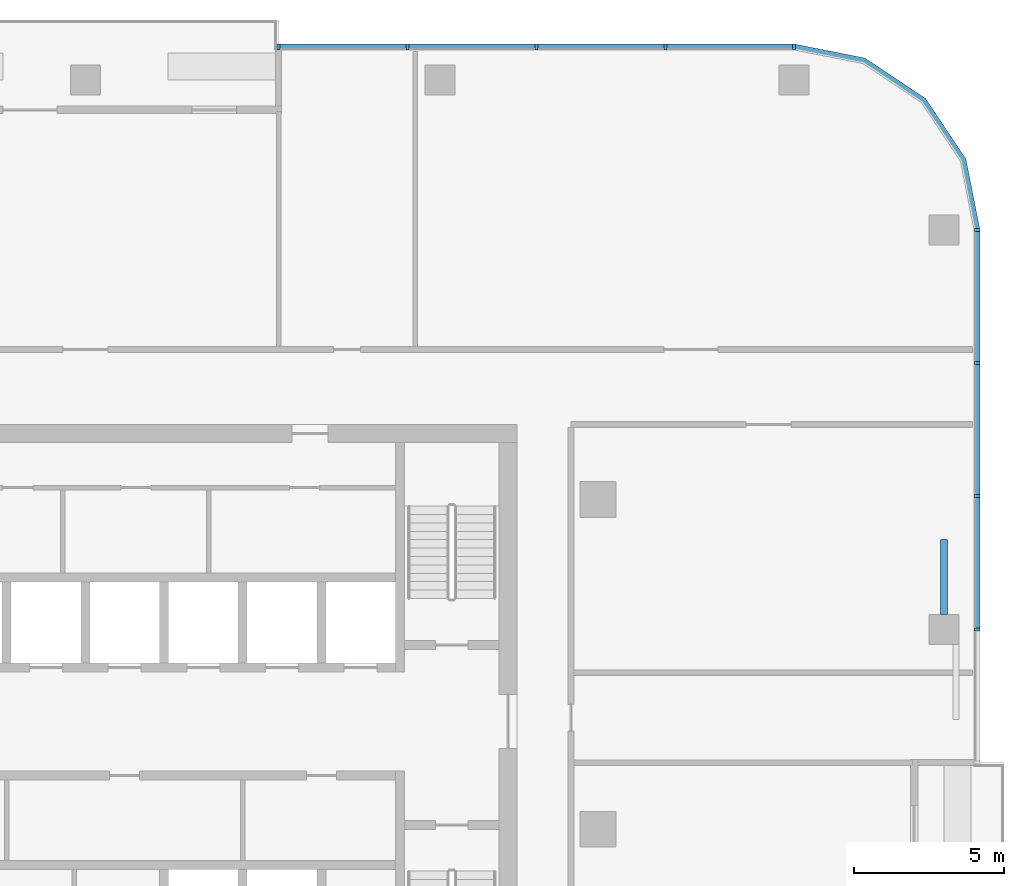
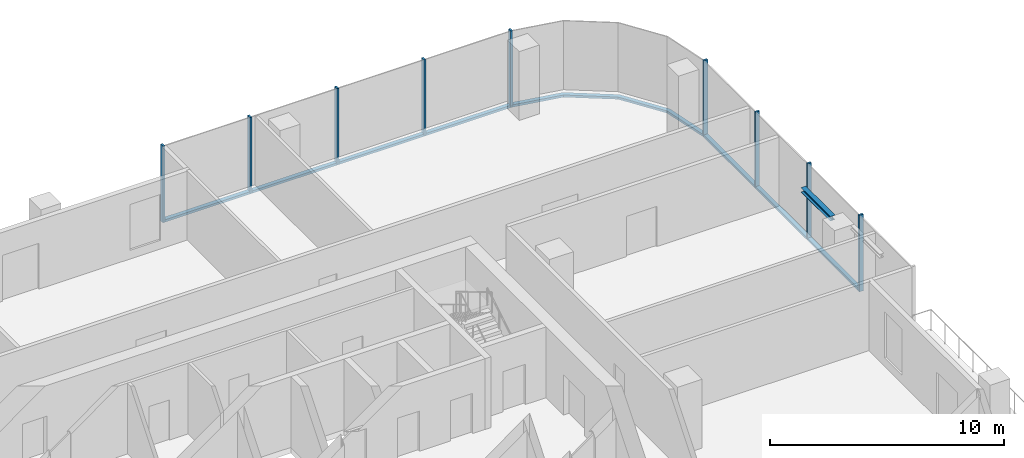
# One storey, part 5 of 13: 17 members, 1 beam, 3 elements without a shape of their own.
"""IFC4 building model written with IfcOpenShell, lengths in metres."""

from ifc_helpers import new_model, si_unit, direction, frame, origin, origin_2d, place, context, subcontext, project, spatial, polyline, rectangle, i_section, outline, extrude, material, material_profile, profile_set, type_object, element, aggregate, save


model = new_model("IFC4")

# Units and contexts
model_context = context("Model", 3, precision=1e-05, world=origin(), true_north=direction((0.0, 1.0)))
body_context = subcontext(model_context, "Body", "Model", "MODEL_VIEW")
ifc_project = project(units=[si_unit("LENGTHUNIT", "METRE"), si_unit("AREAUNIT", "SQUARE_METRE"), si_unit("VOLUMEUNIT", "CUBIC_METRE"), si_unit("PLANEANGLEUNIT", "RADIAN"), si_unit("MASSUNIT", "GRAM", prefix="KILO")], contexts=[model_context])

# Site, building, storey
site_placement = place(None, origin())
site = spatial("IfcSite", under=ifc_project, at=site_placement, CompositionType="ELEMENT")
building_placement = place(site_placement, origin())
building = spatial("IfcBuilding", under=site, at=building_placement, Name="Mopane Tessera Tower", CompositionType="ELEMENT")
storey_placement = place(building_placement, frame((0.0, 0.0, 287.39990234375)))
storey = spatial("IfcBuildingStorey", under=building, at=storey_placement, Name="L62", CompositionType="ELEMENT", Elevation=287.39990234375)

# Curtain wall, members
ifc_material_1 = material(Name="Aluminium frame", Category="aluminium")
curtain_wall_type = type_object("IfcCurtainWallType", Name="Unitised curtain wall", PredefinedType="NOTDEFINED", material=ifc_material_1)
curtain_wall_1_placement = place(storey_placement, origin())
curtain_wall_1 = element("IfcCurtainWall", 1, at=curtain_wall_1_placement, inside=storey, type_object=curtain_wall_type, Name="e:cw:L62:E:5", PredefinedType="NOTDEFINED")
ifc_material_2 = material(Name="Aluminium frame", Category="aluminium")
ifc_material_profile_1 = material_profile(ifc_material_2, rectangle(XDim=0.10009765625, YDim=0.199951171875, at=origin_2d()))
ifc_profile_set_1 = profile_set([ifc_material_profile_1], Name="Aluminium frame")
member_type_1 = type_object("IfcMemberType", Name="Aluminium mullion 100 x 200", PredefinedType="MULLION", material=ifc_profile_set_1)
member_1_placement = place(storey_placement, frame((29.75, 6.666748046875, -0.39990234375), z_axis=(0.0, 0.0, 1.0), x_axis=(0.0, 1.0, 0.0)))
member_1 = element("IfcMember", 2, at=member_1_placement, type_object=member_type_1, Name="e:cw:L62:E:5:mu6", PredefinedType="MULLION", context=body_context, shape_type="SweptSolid", body=[
    extrude(rectangle(XDim=0.10009765625, YDim=0.199951171875, at=origin_2d()), origin(), (0.0, 0.0, 1.0), 4.0),
])
member_2_placement = place(storey_placement, frame((29.75, 11.111083984375, -0.39990234375), z_axis=(0.0, 0.0, 1.0), x_axis=(0.0, 1.0, 0.0)))
member_2 = element("IfcMember", 3, at=member_2_placement, type_object=member_type_1, Name="e:cw:L62:E:5:mu7", PredefinedType="MULLION", context=body_context, shape_type="SweptSolid", body=[
    extrude(rectangle(XDim=0.10009765625, YDim=0.199951171875, at=origin_2d()), origin(), (0.0, 0.0, 1.0), 4.0),
])
member_3_placement = place(storey_placement, frame((29.75, 15.5556640625, -0.39990234375), z_axis=(0.0, 0.0, 1.0), x_axis=(0.0, 1.0, 0.0)))
member_3 = element("IfcMember", 4, at=member_3_placement, type_object=member_type_1, Name="e:cw:L62:E:5:mu8", PredefinedType="MULLION", context=body_context, shape_type="SweptSolid", body=[
    extrude(rectangle(XDim=0.10009765625, YDim=0.199951171875, at=origin_2d()), origin(), (0.0, 0.0, 1.0), 4.0),
])
member_4_placement = place(storey_placement, frame((29.75, 20.0, -0.39990234375), z_axis=(0.0, 0.0, 1.0), x_axis=(0.0, 1.0, 0.0)))
member_4 = element("IfcMember", 5, at=member_4_placement, type_object=member_type_1, Name="e:cw:L62:E:5:mu9", PredefinedType="MULLION", context=body_context, shape_type="SweptSolid", body=[
    extrude(rectangle(XDim=0.10009765625, YDim=0.199951171875, at=origin_2d()), origin(), (0.0, 0.0, 1.0), 4.0),
])

curtain_wall_2_placement = place(storey_placement, origin())
curtain_wall_2 = element("IfcCurtainWall", 6, at=curtain_wall_2_placement, inside=storey, type_object=curtain_wall_type, Name="e:cw:L62:N:0", PredefinedType="NOTDEFINED")
member_5_placement = place(storey_placement, frame((23.64990234375, 26.10009765625, -0.39990234375), z_axis=(0.0, 0.0, 1.0), x_axis=(-1.0, 0.0, 0.0)))
member_5 = element("IfcMember", 7, at=member_5_placement, type_object=member_type_1, Name="e:cw:L62:N:0:mu0", PredefinedType="MULLION", context=body_context, shape_type="SweptSolid", body=[
    extrude(rectangle(XDim=0.10009765625, YDim=0.199951171875, at=origin_2d()), origin(), (0.0, 0.0, 1.0), 4.0),
])
member_6_placement = place(storey_placement, frame((19.35009765625, 26.10009765625, -0.39990234375), z_axis=(0.0, 0.0, 1.0), x_axis=(-1.0, 0.0, 0.0)))
member_6 = element("IfcMember", 8, at=member_6_placement, type_object=member_type_1, Name="e:cw:L62:N:0:mu1", PredefinedType="MULLION", context=body_context, shape_type="SweptSolid", body=[
    extrude(rectangle(XDim=0.10009765625, YDim=0.199951171875, at=origin_2d()), origin(), (0.0, 0.0, 1.0), 4.0),
])
member_7_placement = place(storey_placement, frame((15.050048828125, 26.10009765625, -0.39990234375), z_axis=(0.0, 0.0, 1.0), x_axis=(-1.0, 0.0, 0.0)))
member_7 = element("IfcMember", 9, at=member_7_placement, type_object=member_type_1, Name="e:cw:L62:N:0:mu2", PredefinedType="MULLION", context=body_context, shape_type="SweptSolid", body=[
    extrude(rectangle(XDim=0.10009765625, YDim=0.199951171875, at=origin_2d()), origin(), (0.0, 0.0, 1.0), 4.0),
])
member_8_placement = place(storey_placement, frame((10.75, 26.10009765625, -0.39990234375), z_axis=(0.0, 0.0, 1.0), x_axis=(-1.0, 0.0, 0.0)))
member_8 = element("IfcMember", 10, at=member_8_placement, type_object=member_type_1, Name="e:cw:L62:N:0:mu3", PredefinedType="MULLION", context=body_context, shape_type="SweptSolid", body=[
    extrude(rectangle(XDim=0.10009765625, YDim=0.199951171875, at=origin_2d()), origin(), (0.0, 0.0, 1.0), 4.0),
])
member_9_placement = place(storey_placement, frame((6.449951171875, 26.10009765625, -0.39990234375), z_axis=(0.0, 0.0, 1.0), x_axis=(-1.0, 0.0, 0.0)))
member_9 = element("IfcMember", 11, at=member_9_placement, type_object=member_type_1, Name="e:cw:L62:N:0:mu4", PredefinedType="MULLION", context=body_context, shape_type="SweptSolid", body=[
    extrude(rectangle(XDim=0.10009765625, YDim=0.199951171875, at=origin_2d()), origin(), (0.0, 0.0, 1.0), 4.0),
])

# Member
ifc_material_3 = material(Name="Aluminium frame", Category="aluminium")
ifc_material_profile_2 = material_profile(ifc_material_3, rectangle(XDim=0.199951171875, YDim=0.1201171875, at=origin_2d()))
ifc_profile_set_2 = profile_set([ifc_material_profile_2], Name="Aluminium frame")
member_type_2 = type_object("IfcMemberType", Name="Aluminium transom 200 x 120", PredefinedType="USERDEFINED", material=ifc_profile_set_2)
member_10_placement = place(storey_placement, frame((29.75, 6.716552734375, -0.33984375), z_axis=(0.0, 1.0, 0.0), x_axis=(-1.0, 0.0, 0.0)))
member_10 = element("IfcMember", 12, at=member_10_placement, type_object=member_type_2, Name="e:cw:L62:E:5:tr6", ObjectType="TRANSOM", PredefinedType="USERDEFINED", context=body_context, shape_type="SweptSolid", body=[
    extrude(rectangle(XDim=0.199951171875, YDim=0.1201171875, at=origin_2d()), origin(), (0.0, 0.0, 1.0), 4.344482421875),
])

member_11_placement = place(storey_placement, frame((29.75, 11.1611328125, -0.33984375), z_axis=(0.0, 1.0, 0.0), x_axis=(-1.0, 0.0, 0.0)))
member_11 = element("IfcMember", 13, at=member_11_placement, type_object=member_type_2, Name="e:cw:L62:E:5:tr7", ObjectType="TRANSOM", PredefinedType="USERDEFINED", context=body_context, shape_type="SweptSolid", body=[
    extrude(rectangle(XDim=0.199951171875, YDim=0.1201171875, at=origin_2d()), origin(), (0.0, 0.0, 1.0), 4.344482421875),
])

member_12_placement = place(storey_placement, frame((29.75, 15.60546875, -0.33984375), z_axis=(0.0, 1.0, 0.0), x_axis=(-1.0, 0.0, 0.0)))
member_12 = element("IfcMember", 14, at=member_12_placement, type_object=member_type_2, Name="e:cw:L62:E:5:tr8", ObjectType="TRANSOM", PredefinedType="USERDEFINED", context=body_context, shape_type="SweptSolid", body=[
    extrude(rectangle(XDim=0.199951171875, YDim=0.1201171875, at=origin_2d()), origin(), (0.0, 0.0, 1.0), 4.344482421875),
])

aggregate(curtain_wall_1, [member_1, member_2, member_3, member_4, member_10, member_11, member_12])

# Curtain wall, member
curtain_wall_3_placement = place(storey_placement, origin())
curtain_wall_3 = element("IfcCurtainWall", 15, at=curtain_wall_3_placement, inside=storey, type_object=curtain_wall_type, Name="e:cw:L62:CE", PredefinedType="NOTDEFINED")
member_13_placement = place(storey_placement, frame((0.0, 0.0, -0.39990234375)))
member_13 = element("IfcMember", 16, at=member_13_placement, type_object=member_type_2, Name="e:cw:L62:CE:tr", ObjectType="TRANSOM", PredefinedType="USERDEFINED", context=body_context, shape_type="SweptSolid", body=[
    extrude(outline(polyline([(29.64990234375, 20.0), (29.193359375, 22.296142578125), (27.892578125, 24.24267578125), (25.946044921875, 25.543212890625), (23.64990234375, 26.0), (23.64990234375, 26.199951171875), (26.022705078125, 25.72802734375), (28.0341796875, 24.384033203125), (29.378173828125, 22.37255859375), (29.85009765625, 20.0), (29.64990234375, 20.0)])), origin(), (0.0, 0.0, 1.0), 0.1201171875),
])
aggregate(curtain_wall_3, [member_13])

# Member
member_14_placement = place(storey_placement, frame((23.60009765625, 26.10009765625, -0.33984375), z_axis=(-1.0, 0.0, 0.0), x_axis=(0.0, -1.0, 0.0)))
member_14 = element("IfcMember", 17, at=member_14_placement, type_object=member_type_2, Name="e:cw:L62:N:0:tr0", ObjectType="TRANSOM", PredefinedType="USERDEFINED", context=body_context, shape_type="SweptSolid", body=[
    extrude(rectangle(XDim=0.199951171875, YDim=0.1201171875, at=origin_2d()), origin(), (0.0, 0.0, 1.0), 4.2001953125),
])

member_15_placement = place(storey_placement, frame((19.300048828125, 26.10009765625, -0.33984375), z_axis=(-1.0, 0.0, 0.0), x_axis=(0.0, -1.0, 0.0)))
member_15 = element("IfcMember", 18, at=member_15_placement, type_object=member_type_2, Name="e:cw:L62:N:0:tr1", ObjectType="TRANSOM", PredefinedType="USERDEFINED", context=body_context, shape_type="SweptSolid", body=[
    extrude(rectangle(XDim=0.199951171875, YDim=0.1201171875, at=origin_2d()), origin(), (0.0, 0.0, 1.0), 4.199951171875),
])

member_16_placement = place(storey_placement, frame((15.0, 26.10009765625, -0.33984375), z_axis=(-1.0, 0.0, 0.0), x_axis=(0.0, -1.0, 0.0)))
member_16 = element("IfcMember", 19, at=member_16_placement, type_object=member_type_2, Name="e:cw:L62:N:0:tr2", ObjectType="TRANSOM", PredefinedType="USERDEFINED", context=body_context, shape_type="SweptSolid", body=[
    extrude(rectangle(XDim=0.199951171875, YDim=0.1201171875, at=origin_2d()), origin(), (0.0, 0.0, 1.0), 4.199951171875),
])

member_17_placement = place(storey_placement, frame((10.699951171875, 26.10009765625, -0.33984375), z_axis=(-1.0, 0.0, 0.0), x_axis=(0.0, -1.0, 0.0)))
member_17 = element("IfcMember", 20, at=member_17_placement, type_object=member_type_2, Name="e:cw:L62:N:0:tr3", ObjectType="TRANSOM", PredefinedType="USERDEFINED", context=body_context, shape_type="SweptSolid", body=[
    extrude(rectangle(XDim=0.199951171875, YDim=0.1201171875, at=origin_2d()), origin(), (0.0, 0.0, 1.0), 4.199951171875),
])

aggregate(curtain_wall_2, [member_5, member_6, member_7, member_8, member_9, member_14, member_15, member_16, member_17])

# Beam
ifc_material_4 = material(Name="Structural steel S460", Category="steel")
ifc_material_profile_3 = material_profile(ifc_material_4, i_section(OverallWidth=0.239990234375, OverallDepth=0.239990234375, WebThickness=0.010009765625, FlangeThickness=0.01708984375, FilletRadius=0.02099609375, at=origin_2d()))
ifc_profile_set_3 = profile_set([ifc_material_profile_3], Name="Structural steel S460")
beam_type = type_object("IfcBeamType", Name="Terrace spandrel beam HE 240 B", PredefinedType="SPANDREL", material=ifc_profile_set_3)
beam_placement = place(storey_placement, frame((28.64990234375, 7.169677734375, 3.47998046875), z_axis=(0.0, 1.0, 0.0), x_axis=(-1.0, 0.0, 0.0)))
element("IfcBeam", 21, at=beam_placement, inside=storey, type_object=beam_type, Name="Terrace spandrel beam N1 L63", PredefinedType="SPANDREL", context=body_context, shape_type="SweptSolid", body=[
    extrude(i_section(OverallWidth=0.239990234375, OverallDepth=0.239990234375, WebThickness=0.010009765625, FlangeThickness=0.01708984375, FilletRadius=0.02099609375, at=origin_2d()), origin(), (0.0, 0.0, 1.0), 2.5),
])

save(model, "model.ifc")
